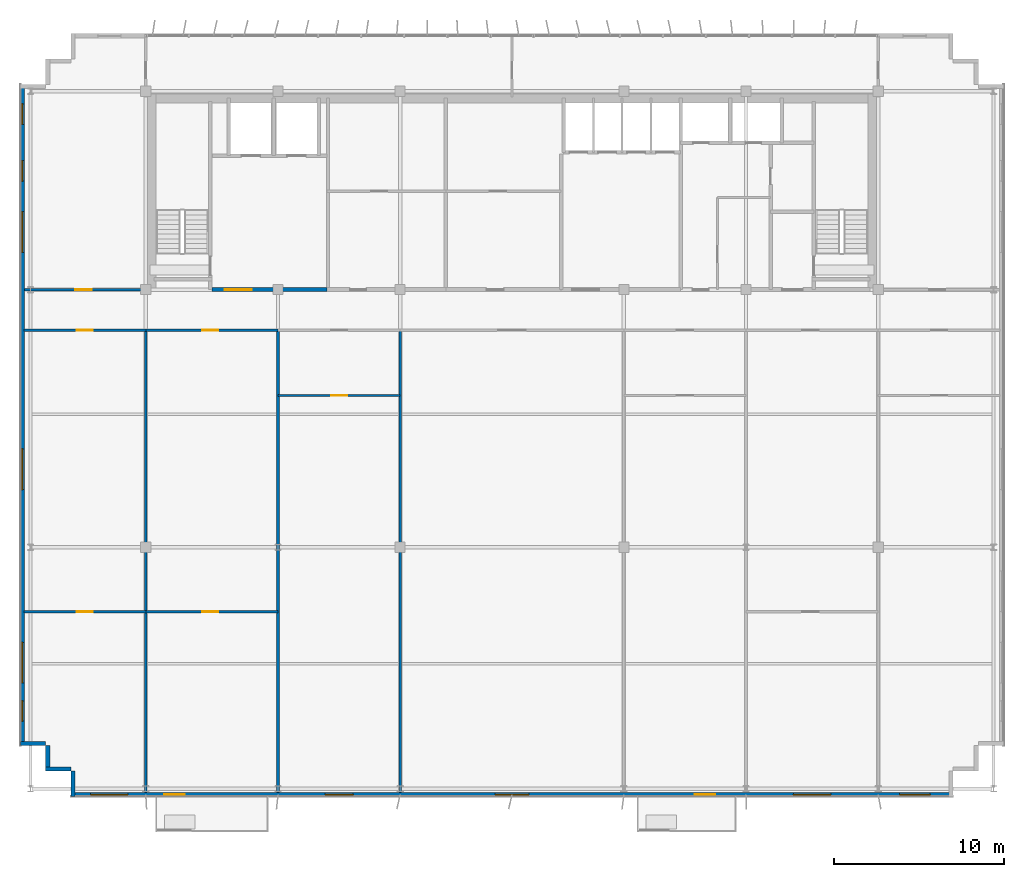
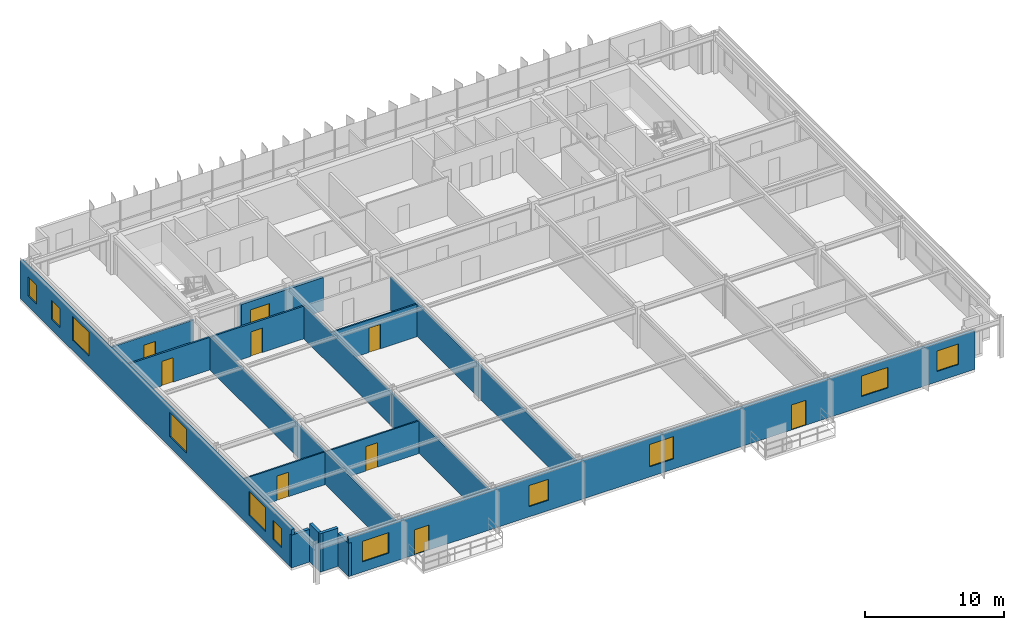
# One storey, part 16 of 21: 16 walls, 11 windows, 9 doors, 20 openings.
"""IFC4 building model written with IfcOpenShell, lengths in metres."""

from ifc_helpers import new_model, si_unit, direction, frame, frame_2d, origin, place, context, subcontext, project, spatial, rectangle, extrude, source, transform, mapped, material, layer, layer_set, type_object, element, fill, save


model = new_model("IFC4")

# Units and contexts
model_context = context("Model", 3, precision=1e-05, world=origin(), true_north=direction((0.0, 1.0)))
body_context = subcontext(model_context, "Body", "Model", "MODEL_VIEW")
ifc_project = project(units=[si_unit("LENGTHUNIT", "METRE"), si_unit("AREAUNIT", "SQUARE_METRE"), si_unit("VOLUMEUNIT", "CUBIC_METRE"), si_unit("PLANEANGLEUNIT", "RADIAN"), si_unit("MASSUNIT", "GRAM", prefix="KILO")], contexts=[model_context])

# Site, building, storey
site_placement = place(None, origin())
site = spatial("IfcSite", under=ifc_project, at=site_placement, CompositionType="ELEMENT")
building_placement = place(site_placement, origin())
building = spatial("IfcBuilding", under=site, at=building_placement, Name="Trelvane Seafront Commons", CompositionType="ELEMENT")
storey_placement = place(building_placement, frame((0.0, 0.0, 252.300048828125)))
storey = spatial("IfcBuildingStorey", under=building, at=storey_placement, Name="L65", CompositionType="ELEMENT", Elevation=252.300048828125)

# Walls
ifc_material_1 = material(Name="Precast concrete C40/50", Category="concrete")
ifc_layer_1 = layer(ifc_material_1, 0.239990234375, Name="ARCH-WALL-EXT240")
ifc_layer_set_1 = layer_set([ifc_layer_1], Name="Precast concrete C40/50")
wall_type_1 = type_object("IfcWallType", Name="ARCH-WALL-EXT240", PredefinedType="SOLIDWALL", material=ifc_layer_set_1)
for number, where, z_axis, x_axis, name in (
    (1, (11.199951171875, 5.1201171875, 0.0), (0.0, 0.0, 1.0), (-1.0, 0.0, 0.0), "EW-L65-01300"),
    (2, (9.820068359375, 5.0, 0.0), (0.0, 0.0, 1.0), (0.0, 1.0, 0.0), "EW-L65-01301"),
):
    element("IfcWall", number, at=place(storey_placement, frame(where, z_axis=z_axis, x_axis=x_axis)), inside=storey, type_object=wall_type_1, Name=name, PredefinedType="SOLIDWALL", context=body_context, shape_type="SweptSolid", body=[
        extrude(rectangle(XDim=1.5, YDim=0.239990234375, at=frame_2d((0.75, 0.0))), origin(), (0.0, 0.0, 1.0), 3.369873046875),
    ])
wall_1_placement = place(storey_placement, frame((9.699951171875, 6.6201171875, 0.0), z_axis=(0.0, 0.0, 1.0), x_axis=(-1.0, 0.0, 0.0)))
element("IfcWall", 3, at=wall_1_placement, inside=storey, type_object=wall_type_1, Name="EW-L65-01302", PredefinedType="SOLIDWALL", context=body_context, shape_type="SweptSolid", body=[
    extrude(rectangle(XDim=1.5, YDim=0.239990234375, at=frame_2d((0.75, 0.0))), origin(), (0.0, 0.0, 1.0), 2.869873046875),
])

# Wall, openings, windows
wall_2_placement = place(storey_placement, frame((8.320068359375, 6.5, 0.0), z_axis=(0.0, 0.0, 1.0), x_axis=(0.0, 1.0, 0.0)))
wall_2 = element("IfcWall", 4, at=wall_2_placement, inside=storey, type_object=wall_type_1, Name="EW-L65-01303", PredefinedType="SOLIDWALL", context=body_context, shape_type="SweptSolid", body=[
    extrude(rectangle(XDim=39.0, YDim=0.239990234375, at=frame_2d((19.5, 0.0))), origin(), (0.0, 0.0, 1.0), 3.369873046875),
])
opening_1_placement = place(wall_2_placement, frame((1.449951171875, 0.0, 0.919921875)))
opening_1 = element("IfcOpeningElement", 5, at=opening_1_placement, cuts=wall_2, Name="Opening W05", PredefinedType="OPENING", context=body_context, shape_type="SweptSolid", body=[
    extrude(rectangle(XDim=1.199951171875, YDim=1.64990234375, at=frame_2d((0.60009765625, 0.824951171875))), frame((0.0, 0.1298828125, 0.0), z_axis=(0.0, -1.0, 0.0), x_axis=(1.0, 0.0, 0.0)), (0.0, 0.0, 1.0), 0.260009765625),
])
opening_2_placement = place(wall_2_placement, frame((3.699951171875, 0.0, 0.919921875)))
opening_2 = element("IfcOpeningElement", 6, at=opening_2_placement, cuts=wall_2, Name="Opening W08", PredefinedType="OPENING", context=body_context, shape_type="SweptSolid", body=[
    extrude(rectangle(XDim=2.39990234375, YDim=2.10009765625, at=frame_2d((1.199951171875, 1.050048828125))), frame((0.0, 0.1298828125, 0.0), z_axis=(0.0, -1.0, 0.0), x_axis=(1.0, 0.0, 0.0)), (0.0, 0.0, 1.0), 0.260009765625),
])
opening_3_placement = place(wall_2_placement, frame((15.10009765625, 0.0, 0.919921875)))
opening_3 = element("IfcOpeningElement", 7, at=opening_3_placement, cuts=wall_2, Name="Opening W08", PredefinedType="OPENING", context=body_context, shape_type="SweptSolid", body=[
    extrude(rectangle(XDim=2.39990234375, YDim=2.10009765625, at=frame_2d((1.199951171875, 1.050048828125))), frame((0.0, 0.1298828125, 0.0), z_axis=(0.0, -1.0, 0.0), x_axis=(1.0, 0.0, 0.0)), (0.0, 0.0, 1.0), 0.260009765625),
])
opening_4_placement = place(wall_2_placement, frame((29.10009765625, 0.0, 0.919921875)))
opening_4 = element("IfcOpeningElement", 8, at=opening_4_placement, cuts=wall_2, Name="Opening W08", PredefinedType="OPENING", context=body_context, shape_type="SweptSolid", body=[
    extrude(rectangle(XDim=2.39990234375, YDim=2.10009765625, at=frame_2d((1.199951171875, 1.050048828125))), frame((0.0, 0.1298828125, 0.0), z_axis=(0.0, -1.0, 0.0), x_axis=(1.0, 0.0, 0.0)), (0.0, 0.0, 1.0), 0.260009765625),
])
opening_5_placement = place(wall_2_placement, frame((33.300048828125, 0.0, 0.919921875)))
opening_5 = element("IfcOpeningElement", 9, at=opening_5_placement, cuts=wall_2, Name="Opening W05", PredefinedType="OPENING", context=body_context, shape_type="SweptSolid", body=[
    extrude(rectangle(XDim=1.199951171875, YDim=1.64990234375, at=frame_2d((0.60009765625, 0.824951171875))), frame((0.0, 0.1298828125, 0.0), z_axis=(0.0, -1.0, 0.0), x_axis=(1.0, 0.0, 0.0)), (0.0, 0.0, 1.0), 0.260009765625),
])
opening_6_placement = place(wall_2_placement, frame((36.64990234375, 0.0, 0.919921875)))
opening_6 = element("IfcOpeningElement", 10, at=opening_6_placement, cuts=wall_2, Name="Opening W05", PredefinedType="OPENING", context=body_context, shape_type="SweptSolid", body=[
    extrude(rectangle(XDim=1.199951171875, YDim=1.64990234375, at=frame_2d((0.60009765625, 0.824951171875))), frame((0.0, 0.1298828125, 0.0), z_axis=(0.0, -1.0, 0.0), x_axis=(1.0, 0.0, 0.0)), (0.0, 0.0, 1.0), 0.260009765625),
])
ifc_material_2 = material(Name="Low-E coastal double glazing", Category="glass")
window_type_1 = type_object("IfcWindowType", Name="ARCH-WIN-W08", PartitioningType="SINGLE_PANEL", PredefinedType="WINDOW", material=ifc_material_2)
shared_shape_1 = source(origin(), body_context, "Body", "SweptSolid", [
    extrude(rectangle(XDim=2.39990234375, YDim=2.10009765625, at=frame_2d((1.199951171875, 1.050048828125))), frame((0.0, 0.030029296875, 0.0), z_axis=(0.0, -1.0, 0.0), x_axis=(1.0, 0.0, 0.0)), (0.0, 0.0, 1.0), 0.06005859375),
])
window_1_placement = place(opening_2_placement, origin())
window_1 = element("IfcWindow", 11, at=window_1_placement, inside=storey, type_object=window_type_1, Name="WIN-L65-EW-01557", OverallHeight=2.10009765625, OverallWidth=2.39990234375, PartitioningType="SINGLE_PANEL", PredefinedType="WINDOW", context=body_context, shape_type="MappedRepresentation", body=[
    mapped(shared_shape_1, transform((0.0, 0.0, 0.0), x_axis=(1.0, 0.0, 0.0), y_axis=(0.0, 1.0, 0.0), z_axis=(0.0, 0.0, 1.0), scale=1.0)),
])
fill(opening_2, window_1)
window_2_placement = place(opening_3_placement, origin())
window_2 = element("IfcWindow", 12, at=window_2_placement, inside=storey, type_object=window_type_1, Name="WIN-L65-EW-01558", OverallHeight=2.10009765625, OverallWidth=2.39990234375, PartitioningType="SINGLE_PANEL", PredefinedType="WINDOW", context=body_context, shape_type="MappedRepresentation", body=[
    mapped(shared_shape_1, transform((0.0, 0.0, 0.0), x_axis=(1.0, 0.0, 0.0), y_axis=(0.0, 1.0, 0.0), z_axis=(0.0, 0.0, 1.0), scale=1.0)),
])
fill(opening_3, window_2)
window_3_placement = place(opening_4_placement, origin())
window_3 = element("IfcWindow", 13, at=window_3_placement, inside=storey, type_object=window_type_1, Name="WIN-L65-EW-01559", OverallHeight=2.10009765625, OverallWidth=2.39990234375, PartitioningType="SINGLE_PANEL", PredefinedType="WINDOW", context=body_context, shape_type="MappedRepresentation", body=[
    mapped(shared_shape_1, transform((0.0, 0.0, 0.0), x_axis=(1.0, 0.0, 0.0), y_axis=(0.0, 1.0, 0.0), z_axis=(0.0, 0.0, 1.0), scale=1.0)),
])
fill(opening_4, window_3)
window_type_2 = type_object("IfcWindowType", Name="ARCH-WIN-W05", PartitioningType="SINGLE_PANEL", PredefinedType="WINDOW", material=ifc_material_2)
shared_shape_2 = source(origin(), body_context, "Body", "SweptSolid", [
    extrude(rectangle(XDim=1.199951171875, YDim=1.64990234375, at=frame_2d((0.60009765625, 0.824951171875))), frame((0.0, 0.030029296875, 0.0), z_axis=(0.0, -1.0, 0.0), x_axis=(1.0, 0.0, 0.0)), (0.0, 0.0, 1.0), 0.06005859375),
])
window_4_placement = place(opening_1_placement, origin())
window_4 = element("IfcWindow", 14, at=window_4_placement, inside=storey, type_object=window_type_2, Name="WIN-L65-EW-01556", OverallHeight=1.64990234375, OverallWidth=1.199951171875, PartitioningType="SINGLE_PANEL", PredefinedType="WINDOW", context=body_context, shape_type="MappedRepresentation", body=[
    mapped(shared_shape_2, transform((0.0, 0.0, 0.0), x_axis=(1.0, 0.0, 0.0), y_axis=(0.0, 1.0, 0.0), z_axis=(0.0, 0.0, 1.0), scale=1.0)),
])
fill(opening_1, window_4)
window_5_placement = place(opening_5_placement, origin())
window_5 = element("IfcWindow", 15, at=window_5_placement, inside=storey, type_object=window_type_2, Name="WIN-L65-EW-01560", OverallHeight=1.64990234375, OverallWidth=1.199951171875, PartitioningType="SINGLE_PANEL", PredefinedType="WINDOW", context=body_context, shape_type="MappedRepresentation", body=[
    mapped(shared_shape_2, transform((0.0, 0.0, 0.0), x_axis=(1.0, 0.0, 0.0), y_axis=(0.0, 1.0, 0.0), z_axis=(0.0, 0.0, 1.0), scale=1.0)),
])
fill(opening_5, window_5)
window_6_placement = place(opening_6_placement, origin())
window_6 = element("IfcWindow", 16, at=window_6_placement, inside=storey, type_object=window_type_2, Name="WIN-L65-EW-01561", OverallHeight=1.64990234375, OverallWidth=1.199951171875, PartitioningType="SINGLE_PANEL", PredefinedType="WINDOW", context=body_context, shape_type="MappedRepresentation", body=[
    mapped(shared_shape_2, transform((0.0, 0.0, 0.0), x_axis=(1.0, 0.0, 0.0), y_axis=(0.0, 1.0, 0.0), z_axis=(0.0, 0.0, 1.0), scale=1.0)),
])
fill(opening_6, window_6)

# Wall, openings, doors, windows
wall_3_placement = place(storey_placement, frame((63.199951171875, 3.6201171875, 0.0), z_axis=(0.0, 0.0, 1.0), x_axis=(-1.0, 0.0, 0.0)))
wall_3 = element("IfcWall", 17, at=wall_3_placement, inside=storey, type_object=wall_type_1, Name="EW-L65-01317", PredefinedType="SOLIDWALL", context=body_context, shape_type="SweptSolid", body=[
    extrude(rectangle(XDim=52.0, YDim=0.239990234375, at=frame_2d((26.0, 0.0))), origin(), (0.0, 0.0, 1.0), 3.369873046875),
])
opening_7_placement = place(wall_3_placement, frame((1.344970703125, 0.0, 0.89990234375)))
opening_7 = element("IfcOpeningElement", 18, at=opening_7_placement, cuts=wall_3, Name="Opening W01", PredefinedType="OPENING", context=body_context, shape_type="SweptSolid", body=[
    extrude(rectangle(XDim=1.800048828125, YDim=1.800048828125, at=frame_2d((0.89990234375, 0.89990234375))), frame((0.0, 0.1298828125, 0.0), z_axis=(0.0, -1.0, 0.0), x_axis=(1.0, 0.0, 0.0)), (0.0, 0.0, 1.0), 0.260009765625),
])
opening_8_placement = place(wall_3_placement, frame((7.199951171875, 0.0, 0.89990234375)))
opening_8 = element("IfcOpeningElement", 19, at=opening_8_placement, cuts=wall_3, Name="Opening W02", PredefinedType="OPENING", context=body_context, shape_type="SweptSolid", body=[
    extrude(rectangle(XDim=2.199951171875, YDim=1.800048828125, at=frame_2d((1.10009765625, 0.89990234375))), frame((0.0, 0.1298828125, 0.0), z_axis=(0.0, -1.0, 0.0), x_axis=(1.0, 0.0, 0.0)), (0.0, 0.0, 1.0), 0.260009765625),
])
opening_9_placement = place(wall_3_placement, frame((14.01708984375, 0.0, 0.0)))
opening_9 = element("IfcOpeningElement", 20, at=opening_9_placement, cuts=wall_3, Name="Opening BD-L65-132", PredefinedType="OPENING", context=body_context, shape_type="SweptSolid", body=[
    extrude(rectangle(XDim=1.199951171875, YDim=2.199951171875, at=frame_2d((0.60009765625, 1.10009765625))), frame((0.0, 0.1298828125, 0.0), z_axis=(0.0, -1.0, 0.0), x_axis=(1.0, 0.0, 0.0)), (0.0, 0.0, 1.0), 0.260009765625),
])
opening_10_placement = place(wall_3_placement, frame((25.0, 0.0, 0.89990234375)))
opening_10 = element("IfcOpeningElement", 21, at=opening_10_placement, cuts=wall_3, Name="Opening W06", PredefinedType="OPENING", context=body_context, shape_type="SweptSolid", body=[
    extrude(rectangle(XDim=2.0, YDim=1.949951171875, at=frame_2d((1.0, 0.97509765625))), frame((0.0, 0.1298828125, 0.0), z_axis=(0.0, -1.0, 0.0), x_axis=(1.0, 0.0, 0.0)), (0.0, 0.0, 1.0), 0.260009765625),
])
opening_11_placement = place(wall_3_placement, frame((35.375, 0.0, 0.89990234375)))
opening_11 = element("IfcOpeningElement", 22, at=opening_11_placement, cuts=wall_3, Name="Opening W07", PredefinedType="OPENING", context=body_context, shape_type="SweptSolid", body=[
    extrude(rectangle(XDim=1.64990234375, YDim=1.85009765625, at=frame_2d((0.824951171875, 0.925048828125))), frame((0.0, 0.1298828125, 0.0), z_axis=(0.0, -1.0, 0.0), x_axis=(1.0, 0.0, 0.0)), (0.0, 0.0, 1.0), 0.260009765625),
])
opening_12_placement = place(wall_3_placement, frame((45.302001953125, 0.0, 0.0)))
opening_12 = element("IfcOpeningElement", 23, at=opening_12_placement, cuts=wall_3, Name="Opening BD-L65-133", PredefinedType="OPENING", context=body_context, shape_type="SweptSolid", body=[
    extrude(rectangle(XDim=1.199951171875, YDim=2.199951171875, at=frame_2d((0.60009765625, 1.10009765625))), frame((0.0, 0.1298828125, 0.0), z_axis=(0.0, -1.0, 0.0), x_axis=(1.0, 0.0, 0.0)), (0.0, 0.0, 1.0), 0.260009765625),
])
opening_13_placement = place(wall_3_placement, frame((48.655029296875, 0.0, 0.89990234375)))
opening_13 = element("IfcOpeningElement", 24, at=opening_13_placement, cuts=wall_3, Name="Opening W02", PredefinedType="OPENING", context=body_context, shape_type="SweptSolid", body=[
    extrude(rectangle(XDim=2.199951171875, YDim=1.800048828125, at=frame_2d((1.10009765625, 0.89990234375))), frame((0.0, 0.1298828125, 0.0), z_axis=(0.0, -1.0, 0.0), x_axis=(1.0, 0.0, 0.0)), (0.0, 0.0, 1.0), 0.260009765625),
])
ifc_material_3 = material(Name="Powder-coated aluminium frame", Category="aluminium")
door_type_1 = type_object("IfcDoorType", Name="ARCH-DR-BAL1200", OperationType="NOTDEFINED", PredefinedType="DOOR", material=ifc_material_3)
shared_shape_3 = source(origin(), body_context, "Body", "SweptSolid", [
    extrude(rectangle(XDim=1.199951171875, YDim=2.199951171875, at=frame_2d((0.60009765625, 1.10009765625))), frame((0.0, 0.02490234375, 0.0), z_axis=(0.0, -1.0, 0.0), x_axis=(1.0, 0.0, 0.0)), (0.0, 0.0, 1.0), 0.050048828125),
])
door_1_placement = place(opening_9_placement, origin())
door_1 = element("IfcDoor", 25, at=door_1_placement, inside=storey, type_object=door_type_1, Name="L65 Balcony Terrace Access Door", OperationType="SINGLE_SWING_LEFT", OverallHeight=2.199951171875, OverallWidth=1.199951171875, PredefinedType="DOOR", context=body_context, shape_type="MappedRepresentation", body=[
    mapped(shared_shape_3, transform((0.0, 0.0, 0.0), x_axis=(1.0, 0.0, 0.0), y_axis=(0.0, 1.0, 0.0), z_axis=(0.0, 0.0, 1.0), scale=1.0)),
])
fill(opening_9, door_1)
door_2_placement = place(opening_12_placement, origin())
door_2 = element("IfcDoor", 26, at=door_2_placement, inside=storey, type_object=door_type_1, Name="L65 Balcony Terrace Access Door", OperationType="SINGLE_SWING_LEFT", OverallHeight=2.199951171875, OverallWidth=1.199951171875, PredefinedType="DOOR", context=body_context, shape_type="MappedRepresentation", body=[
    mapped(shared_shape_3, transform((0.0, 0.0, 0.0), x_axis=(1.0, 0.0, 0.0), y_axis=(0.0, 1.0, 0.0), z_axis=(0.0, 0.0, 1.0), scale=1.0)),
])
fill(opening_12, door_2)
window_type_3 = type_object("IfcWindowType", Name="ARCH-WIN-W02", PartitioningType="SINGLE_PANEL", PredefinedType="WINDOW", material=ifc_material_2)
shared_shape_4 = source(origin(), body_context, "Body", "SweptSolid", [
    extrude(rectangle(XDim=2.199951171875, YDim=1.800048828125, at=frame_2d((1.10009765625, 0.89990234375))), frame((0.0, 0.030029296875, 0.0), z_axis=(0.0, -1.0, 0.0), x_axis=(1.0, 0.0, 0.0)), (0.0, 0.0, 1.0), 0.06005859375),
])
window_7_placement = place(opening_8_placement, origin())
window_7 = element("IfcWindow", 27, at=window_7_placement, inside=storey, type_object=window_type_3, Name="WIN-L65-01570", OverallHeight=1.800048828125, OverallWidth=2.199951171875, PartitioningType="SINGLE_PANEL", PredefinedType="WINDOW", context=body_context, shape_type="MappedRepresentation", body=[
    mapped(shared_shape_4, transform((0.0, 0.0, 0.0), x_axis=(1.0, 0.0, 0.0), y_axis=(0.0, 1.0, 0.0), z_axis=(0.0, 0.0, 1.0), scale=1.0)),
])
fill(opening_8, window_7)
window_8_placement = place(opening_13_placement, origin())
window_8 = element("IfcWindow", 28, at=window_8_placement, inside=storey, type_object=window_type_3, Name="WIN-L65-01573", OverallHeight=1.800048828125, OverallWidth=2.199951171875, PartitioningType="SINGLE_PANEL", PredefinedType="WINDOW", context=body_context, shape_type="MappedRepresentation", body=[
    mapped(shared_shape_4, transform((0.0, 0.0, 0.0), x_axis=(1.0, 0.0, 0.0), y_axis=(0.0, 1.0, 0.0), z_axis=(0.0, 0.0, 1.0), scale=1.0)),
])
fill(opening_13, window_8)
window_type_4 = type_object("IfcWindowType", Name="ARCH-WIN-W06", PartitioningType="SINGLE_PANEL", PredefinedType="WINDOW", material=ifc_material_2)
shared_shape_5 = source(origin(), body_context, "Body", "SweptSolid", [
    extrude(rectangle(XDim=2.0, YDim=1.949951171875, at=frame_2d((1.0, 0.97509765625))), frame((0.0, 0.030029296875, 0.0), z_axis=(0.0, -1.0, 0.0), x_axis=(1.0, 0.0, 0.0)), (0.0, 0.0, 1.0), 0.06005859375),
])
window_9_placement = place(opening_10_placement, origin())
window_9 = element("IfcWindow", 29, at=window_9_placement, inside=storey, type_object=window_type_4, Name="WIN-L65-01571", OverallHeight=1.949951171875, OverallWidth=2.0, PartitioningType="SINGLE_PANEL", PredefinedType="WINDOW", context=body_context, shape_type="MappedRepresentation", body=[
    mapped(shared_shape_5, transform((0.0, 0.0, 0.0), x_axis=(1.0, 0.0, 0.0), y_axis=(0.0, 1.0, 0.0), z_axis=(0.0, 0.0, 1.0), scale=1.0)),
])
fill(opening_10, window_9)
window_type_5 = type_object("IfcWindowType", Name="ARCH-WIN-W01", PartitioningType="SINGLE_PANEL", PredefinedType="WINDOW", material=ifc_material_2)
shared_shape_6 = source(origin(), body_context, "Body", "SweptSolid", [
    extrude(rectangle(XDim=1.800048828125, YDim=1.800048828125, at=frame_2d((0.89990234375, 0.89990234375))), frame((0.0, 0.030029296875, 0.0), z_axis=(0.0, -1.0, 0.0), x_axis=(1.0, 0.0, 0.0)), (0.0, 0.0, 1.0), 0.06005859375),
])
window_10_placement = place(opening_7_placement, origin())
window_10 = element("IfcWindow", 30, at=window_10_placement, inside=storey, type_object=window_type_5, Name="WIN-L65-01569", OverallHeight=1.800048828125, OverallWidth=1.800048828125, PartitioningType="SINGLE_PANEL", PredefinedType="WINDOW", context=body_context, shape_type="MappedRepresentation", body=[
    mapped(shared_shape_6, transform((0.0, 0.0, 0.0), x_axis=(1.0, 0.0, 0.0), y_axis=(0.0, 1.0, 0.0), z_axis=(0.0, 0.0, 1.0), scale=1.0)),
])
fill(opening_7, window_10)
window_type_6 = type_object("IfcWindowType", Name="ARCH-WIN-W07", PartitioningType="SINGLE_PANEL", PredefinedType="WINDOW", material=ifc_material_2)
shared_shape_7 = source(origin(), body_context, "Body", "SweptSolid", [
    extrude(rectangle(XDim=1.64990234375, YDim=1.85009765625, at=frame_2d((0.824951171875, 0.925048828125))), frame((0.0, 0.030029296875, 0.0), z_axis=(0.0, -1.0, 0.0), x_axis=(1.0, 0.0, 0.0)), (0.0, 0.0, 1.0), 0.06005859375),
])
window_11_placement = place(opening_11_placement, origin())
window_11 = element("IfcWindow", 31, at=window_11_placement, inside=storey, type_object=window_type_6, Name="WIN-L65-01572", OverallHeight=1.85009765625, OverallWidth=1.64990234375, PartitioningType="SINGLE_PANEL", PredefinedType="WINDOW", context=body_context, shape_type="MappedRepresentation", body=[
    mapped(shared_shape_7, transform((0.0, 0.0, 0.0), x_axis=(1.0, 0.0, 0.0), y_axis=(0.0, 1.0, 0.0), z_axis=(0.0, 0.0, 1.0), scale=1.0)),
])
fill(opening_11, window_11)

# Wall
wall_4_placement = place(storey_placement, frame((11.320068359375, 3.5, 0.0), z_axis=(0.0, 0.0, 1.0), x_axis=(0.0, 1.0, 0.0)))
element("IfcWall", 32, at=wall_4_placement, inside=storey, type_object=wall_type_1, Name="EW-L65-01318", PredefinedType="SOLIDWALL", context=body_context, shape_type="SweptSolid", body=[
    extrude(rectangle(XDim=1.5, YDim=0.239990234375, at=frame_2d((0.75, 0.0))), origin(), (0.0, 0.0, 1.0), 2.919921875),
])

# Wall, opening, door
ifc_material_4 = material(Name="Concrete C40/50", Category="concrete")
ifc_layer_2 = layer(ifc_material_4, 0.25, Name="ARCH-WALL-FIRE250")
ifc_layer_set_2 = layer_set([ifc_layer_2], Name="Concrete C40/50")
wall_type_2 = type_object("IfcWallType", Name="ARCH-WALL-FIRE250", PredefinedType="PARTITIONING", material=ifc_layer_set_2)
wall_5_placement = place(storey_placement, frame((19.5, 33.39990234375, 0.0), z_axis=(0.0, 0.0, 1.0), x_axis=(1.0, 0.0, 0.0)))
wall_5 = element("IfcWall", 33, at=wall_5_placement, inside=storey, type_object=wall_type_2, Name="W-L65-CS-FFL-013", PredefinedType="PARTITIONING", context=body_context, shape_type="SweptSolid", body=[
    extrude(rectangle(XDim=6.800048828125, YDim=0.25, at=frame_2d((3.39990234375, 0.0))), origin(), (0.0, 0.0, 1.0), 2.919921875),
])
opening_14_placement = place(wall_5_placement, frame((0.75, 0.0, 0.0)))
opening_14 = element("IfcOpeningElement", 34, at=opening_14_placement, cuts=wall_5, Name="Opening FD-L65-05", PredefinedType="OPENING", context=body_context, shape_type="SweptSolid", body=[
    extrude(rectangle(XDim=1.60009765625, YDim=2.199951171875, at=frame_2d((0.800048828125, 1.10009765625))), frame((0.0, 0.135009765625, 0.0), z_axis=(0.0, -1.0, 0.0), x_axis=(1.0, 0.0, 0.0)), (0.0, 0.0, 1.0), 0.27001953125),
])
door_type_2 = type_object("IfcDoorType", Name="ARCH-DR-FD60-1600", OperationType="DOUBLE_DOOR_SINGLE_SWING", PredefinedType="DOOR", material=ifc_material_3)
shared_shape_8 = source(origin(), body_context, "Body", "SweptSolid", [
    extrude(rectangle(XDim=1.60009765625, YDim=2.199951171875, at=frame_2d((0.800048828125, 1.10009765625))), frame((0.0, 0.02490234375, 0.0), z_axis=(0.0, -1.0, 0.0), x_axis=(1.0, 0.0, 0.0)), (0.0, 0.0, 1.0), 0.050048828125),
])
door_3_placement = place(opening_14_placement, origin())
door_3 = element("IfcDoor", 35, at=door_3_placement, inside=storey, type_object=door_type_2, Name="L65 Firefighting Lift Lobby Double Fire Door", OperationType="DOUBLE_DOOR_SINGLE_SWING", OverallHeight=2.199951171875, OverallWidth=1.60009765625, PredefinedType="DOOR", context=body_context, shape_type="MappedRepresentation", body=[
    mapped(shared_shape_8, transform((0.0, 0.0, 0.0), x_axis=(1.0, 0.0, 0.0), y_axis=(0.0, 1.0, 0.0), z_axis=(0.0, 0.0, 1.0), scale=1.0)),
])
fill(opening_14, door_3)

ifc_material_5 = material(Name="Gypsum Drywall Acoustic Partition")
ifc_layer_3 = layer(ifc_material_5, 0.1201171875, Name="ARCH-WALL-PART120")
ifc_layer_set_3 = layer_set([ifc_layer_3], Name="Gypsum Drywall Acoustic Partition")
wall_type_3 = type_object("IfcWallType", Name="ARCH-WALL-PART120", PredefinedType="PARTITIONING", material=ifc_layer_set_3)
wall_6_placement = place(storey_placement, frame((8.425048828125, 14.39990234375, 0.0), z_axis=(0.0, 0.0, 1.0), x_axis=(1.0, 0.0, 0.0)))
wall_6 = element("IfcWall", 36, at=wall_6_placement, inside=storey, type_object=wall_type_3, Name="W-L65-U1-DIV-047", PredefinedType="PARTITIONING", context=body_context, shape_type="SweptSolid", body=[
    extrude(rectangle(XDim=7.175048828125, YDim=0.1201171875, at=frame_2d((3.58740234375, 0.0))), origin(), (0.0, 0.0, 1.0), 2.869873046875),
])
opening_15_placement = place(wall_6_placement, frame((3.112060546875, 0.0, 0.0)))
opening_15 = element("IfcOpeningElement", 37, at=opening_15_placement, cuts=wall_6, Name="Opening D-L65-27", PredefinedType="OPENING", context=body_context, shape_type="SweptSolid", body=[
    extrude(rectangle(XDim=0.949951171875, YDim=2.14990234375, at=frame_2d((0.47509765625, 1.074951171875))), frame((0.0, 0.070068359375, 0.0), z_axis=(0.0, -1.0, 0.0), x_axis=(1.0, 0.0, 0.0)), (0.0, 0.0, 1.0), 0.14013671875),
])
ifc_material_6 = material(Name="Acoustic timber door leaf", Category="wood")
door_type_3 = type_object("IfcDoorType", Name="ARCH-DR-INT950", OperationType="NOTDEFINED", PredefinedType="DOOR", material=ifc_material_6)
shared_shape_9 = source(origin(), body_context, "Body", "SweptSolid", [
    extrude(rectangle(XDim=0.949951171875, YDim=2.14990234375, at=frame_2d((0.47509765625, 1.074951171875))), frame((0.0, 0.02490234375, 0.0), z_axis=(0.0, -1.0, 0.0), x_axis=(1.0, 0.0, 0.0)), (0.0, 0.0, 1.0), 0.050048828125),
])
door_4_placement = place(opening_15_placement, origin())
door_4 = element("IfcDoor", 38, at=door_4_placement, inside=storey, type_object=door_type_3, Name="L65 Door 27", OperationType="SINGLE_SWING_LEFT", OverallHeight=2.14990234375, OverallWidth=0.949951171875, PredefinedType="DOOR", context=body_context, shape_type="MappedRepresentation", body=[
    mapped(shared_shape_9, transform((0.0, 0.0, 0.0), x_axis=(1.0, 0.0, 0.0), y_axis=(0.0, 1.0, 0.0), z_axis=(0.0, 0.0, 1.0), scale=1.0)),
])
fill(opening_15, door_4)

wall_7_placement = place(storey_placement, frame((15.60009765625, 14.39990234375, 0.0), z_axis=(0.0, 0.0, 1.0), x_axis=(1.0, 0.0, 0.0)))
wall_7 = element("IfcWall", 39, at=wall_7_placement, inside=storey, type_object=wall_type_3, Name="W-L65-U2-DIV-049", PredefinedType="PARTITIONING", context=body_context, shape_type="SweptSolid", body=[
    extrude(rectangle(XDim=7.7998046875, YDim=0.1201171875, at=frame_2d((3.89990234375, 0.0))), origin(), (0.0, 0.0, 1.0), 2.869873046875),
])
opening_16_placement = place(wall_7_placement, frame((3.3330078125, 0.0, 0.0)))
opening_16 = element("IfcOpeningElement", 40, at=opening_16_placement, cuts=wall_7, Name="Opening D-L65-29", PredefinedType="OPENING", context=body_context, shape_type="SweptSolid", body=[
    extrude(rectangle(XDim=0.949951171875, YDim=2.14990234375, at=frame_2d((0.47509765625, 1.074951171875))), frame((0.0, 0.070068359375, 0.0), z_axis=(0.0, -1.0, 0.0), x_axis=(1.0, 0.0, 0.0)), (0.0, 0.0, 1.0), 0.14013671875),
])
door_5_placement = place(opening_16_placement, origin())
door_5 = element("IfcDoor", 41, at=door_5_placement, inside=storey, type_object=door_type_3, Name="L65 Door 29", OperationType="SINGLE_SWING_LEFT", OverallHeight=2.14990234375, OverallWidth=0.949951171875, PredefinedType="DOOR", context=body_context, shape_type="MappedRepresentation", body=[
    mapped(shared_shape_9, transform((0.0, 0.0, 0.0), x_axis=(1.0, 0.0, 0.0), y_axis=(0.0, 1.0, 0.0), z_axis=(0.0, 0.0, 1.0), scale=1.0)),
])
fill(opening_16, door_5)

wall_8_placement = place(storey_placement, frame((23.39990234375, 27.14990234375, 0.0), z_axis=(0.0, 0.0, 1.0), x_axis=(1.0, 0.0, 0.0)))
wall_8 = element("IfcWall", 42, at=wall_8_placement, inside=storey, type_object=wall_type_3, Name="W-L65-U3-DIV-051", PredefinedType="PARTITIONING", context=body_context, shape_type="SweptSolid", body=[
    extrude(rectangle(XDim=7.2001953125, YDim=0.1201171875, at=frame_2d((3.60009765625, 0.0))), origin(), (0.0, 0.0, 1.0), 2.869873046875),
])
opening_17_placement = place(wall_8_placement, frame((3.125, 0.0, 0.0)))
opening_17 = element("IfcOpeningElement", 43, at=opening_17_placement, cuts=wall_8, Name="Opening D-L65-31", PredefinedType="OPENING", context=body_context, shape_type="SweptSolid", body=[
    extrude(rectangle(XDim=0.949951171875, YDim=2.14990234375, at=frame_2d((0.47509765625, 1.074951171875))), frame((0.0, 0.070068359375, 0.0), z_axis=(0.0, -1.0, 0.0), x_axis=(1.0, 0.0, 0.0)), (0.0, 0.0, 1.0), 0.14013671875),
])
door_6_placement = place(opening_17_placement, origin())
door_6 = element("IfcDoor", 44, at=door_6_placement, inside=storey, type_object=door_type_3, Name="L65 Door 31", OperationType="SINGLE_SWING_LEFT", OverallHeight=2.14990234375, OverallWidth=0.949951171875, PredefinedType="DOOR", context=body_context, shape_type="MappedRepresentation", body=[
    mapped(shared_shape_9, transform((0.0, 0.0, 0.0), x_axis=(1.0, 0.0, 0.0), y_axis=(0.0, 1.0, 0.0), z_axis=(0.0, 0.0, 1.0), scale=1.0)),
])
fill(opening_17, door_6)

ifc_layer_4 = layer(ifc_material_5, 0.14990234375, Name="ARCH-WALL-PART150")
ifc_layer_set_4 = layer_set([ifc_layer_4], Name="Gypsum Drywall Acoustic Partition")
wall_type_4 = type_object("IfcWallType", Name="ARCH-WALL-PART150", PredefinedType="PARTITIONING", material=ifc_layer_set_4)
wall_9_placement = place(storey_placement, frame((8.449951171875, 33.39990234375, 0.0), z_axis=(0.0, 0.0, 1.0), x_axis=(1.0, 0.0, 0.0)))
wall_9 = element("IfcWall", 45, at=wall_9_placement, inside=storey, type_object=wall_type_4, Name="W-L65-NW-ENT-035", PredefinedType="PARTITIONING", context=body_context, shape_type="SweptSolid", body=[
    extrude(rectangle(XDim=7.150146484375, YDim=0.14990234375, at=frame_2d((3.5751953125, 0.0))), origin(), (0.0, 0.0, 1.0), 2.919921875),
])
opening_18_placement = place(wall_9_placement, frame((3.0, 0.0, 0.0)))
opening_18 = element("IfcOpeningElement", 46, at=opening_18_placement, cuts=wall_9, Name="Opening FD-L65-21", PredefinedType="OPENING", context=body_context, shape_type="SweptSolid", body=[
    extrude(rectangle(XDim=0.949951171875, YDim=2.14990234375, at=frame_2d((0.47509765625, 1.074951171875))), frame((0.0, 0.0849609375, 0.0), z_axis=(0.0, -1.0, 0.0), x_axis=(1.0, 0.0, 0.0)), (0.0, 0.0, 1.0), 0.169921875),
])
door_type_4 = type_object("IfcDoorType", Name="ARCH-DR-FD60-950", OperationType="NOTDEFINED", PredefinedType="DOOR", material=ifc_material_3)
door_7_placement = place(opening_18_placement, origin())
door_7 = element("IfcDoor", 47, at=door_7_placement, inside=storey, type_object=door_type_4, Name="L65 NW Suite Entrance Door", OperationType="SINGLE_SWING_LEFT", OverallHeight=2.14990234375, OverallWidth=0.949951171875, PredefinedType="DOOR", context=body_context, shape_type="MappedRepresentation", body=[
    mapped(shared_shape_9, transform((0.0, 0.0, 0.0), x_axis=(1.0, 0.0, 0.0), y_axis=(0.0, 1.0, 0.0), z_axis=(0.0, 0.0, 1.0), scale=1.0)),
])
fill(opening_18, door_7)

# Walls
for number, where, z_axis, x_axis, name in (
    (48, (15.60009765625, 3.72509765625, 0.0), (0.0, 0.0, 1.0), (0.0, 1.0, 0.0), "W-L65-PW-1-040"),
    (49, (23.39990234375, 3.72509765625, 0.0), (0.0, 0.0, 1.0), (0.0, 1.0, 0.0), "W-L65-PW-2-041"),
    (50, (30.60009765625, 3.72509765625, 0.0), (0.0, 0.0, 1.0), (0.0, 1.0, 0.0), "W-L65-PW-3-042"),
):
    element("IfcWall", number, at=place(storey_placement, frame(where, z_axis=z_axis, x_axis=x_axis)), inside=storey, type_object=wall_type_4, Name=name, PredefinedType="PARTITIONING", context=body_context, shape_type="SweptSolid", body=[
        extrude(rectangle(XDim=27.27490234375, YDim=0.14990234375, at=frame_2d((13.637451171875, 0.0))), origin(), (0.0, 0.0, 1.0), 2.869873046875),
    ])

# Wall, opening, door
wall_10_placement = place(storey_placement, frame((8.425048828125, 31.0, 0.0), z_axis=(0.0, 0.0, 1.0), x_axis=(1.0, 0.0, 0.0)))
wall_10 = element("IfcWall", 51, at=wall_10_placement, inside=storey, type_object=wall_type_4, Name="W-L65-CS-BAY-1-046", PredefinedType="PARTITIONING", context=body_context, shape_type="SweptSolid", body=[
    extrude(rectangle(XDim=7.175048828125, YDim=0.14990234375, at=frame_2d((3.58740234375, 0.0))), origin(), (0.0, 0.0, 1.0), 2.869873046875),
])
opening_19_placement = place(wall_10_placement, frame((3.112060546875, 0.0, 0.0)))
opening_19 = element("IfcOpeningElement", 52, at=opening_19_placement, cuts=wall_10, Name="Opening FD-L65-26", PredefinedType="OPENING", context=body_context, shape_type="SweptSolid", body=[
    extrude(rectangle(XDim=0.949951171875, YDim=2.14990234375, at=frame_2d((0.47509765625, 1.074951171875))), frame((0.0, 0.0849609375, 0.0), z_axis=(0.0, -1.0, 0.0), x_axis=(1.0, 0.0, 0.0)), (0.0, 0.0, 1.0), 0.169921875),
])
door_8_placement = place(opening_19_placement, origin())
door_8 = element("IfcDoor", 53, at=door_8_placement, inside=storey, type_object=door_type_4, Name="L65 Bay 01 Entrance Door", OperationType="SINGLE_SWING_RIGHT", OverallHeight=2.14990234375, OverallWidth=0.949951171875, PredefinedType="DOOR", context=body_context, shape_type="MappedRepresentation", body=[
    mapped(shared_shape_9, transform((0.0, 0.0, 0.0), x_axis=(1.0, 0.0, 0.0), y_axis=(0.0, 1.0, 0.0), z_axis=(0.0, 0.0, 1.0), scale=1.0)),
])
fill(opening_19, door_8)

wall_11_placement = place(storey_placement, frame((15.60009765625, 31.0, 0.0), z_axis=(0.0, 0.0, 1.0), x_axis=(1.0, 0.0, 0.0)))
wall_11 = element("IfcWall", 54, at=wall_11_placement, inside=storey, type_object=wall_type_4, Name="W-L65-CS-BAY-2-048", PredefinedType="PARTITIONING", context=body_context, shape_type="SweptSolid", body=[
    extrude(rectangle(XDim=7.7998046875, YDim=0.14990234375, at=frame_2d((3.89990234375, 0.0))), origin(), (0.0, 0.0, 1.0), 2.869873046875),
])
opening_20_placement = place(wall_11_placement, frame((3.3330078125, 0.0, 0.0)))
opening_20 = element("IfcOpeningElement", 55, at=opening_20_placement, cuts=wall_11, Name="Opening FD-L65-28", PredefinedType="OPENING", context=body_context, shape_type="SweptSolid", body=[
    extrude(rectangle(XDim=0.949951171875, YDim=2.14990234375, at=frame_2d((0.47509765625, 1.074951171875))), frame((0.0, 0.0849609375, 0.0), z_axis=(0.0, -1.0, 0.0), x_axis=(1.0, 0.0, 0.0)), (0.0, 0.0, 1.0), 0.169921875),
])
door_9_placement = place(opening_20_placement, origin())
door_9 = element("IfcDoor", 56, at=door_9_placement, inside=storey, type_object=door_type_4, Name="L65 Bay 02 Entrance Door", OperationType="SINGLE_SWING_RIGHT", OverallHeight=2.14990234375, OverallWidth=0.949951171875, PredefinedType="DOOR", context=body_context, shape_type="MappedRepresentation", body=[
    mapped(shared_shape_9, transform((0.0, 0.0, 0.0), x_axis=(1.0, 0.0, 0.0), y_axis=(0.0, 1.0, 0.0), z_axis=(0.0, 0.0, 1.0), scale=1.0)),
])
fill(opening_20, door_9)

save(model, "model.ifc")
